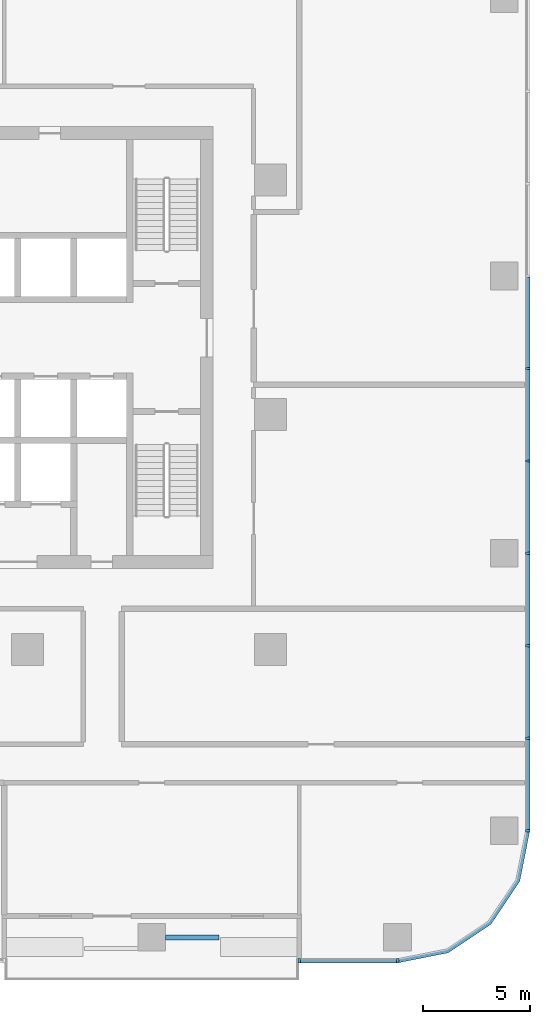
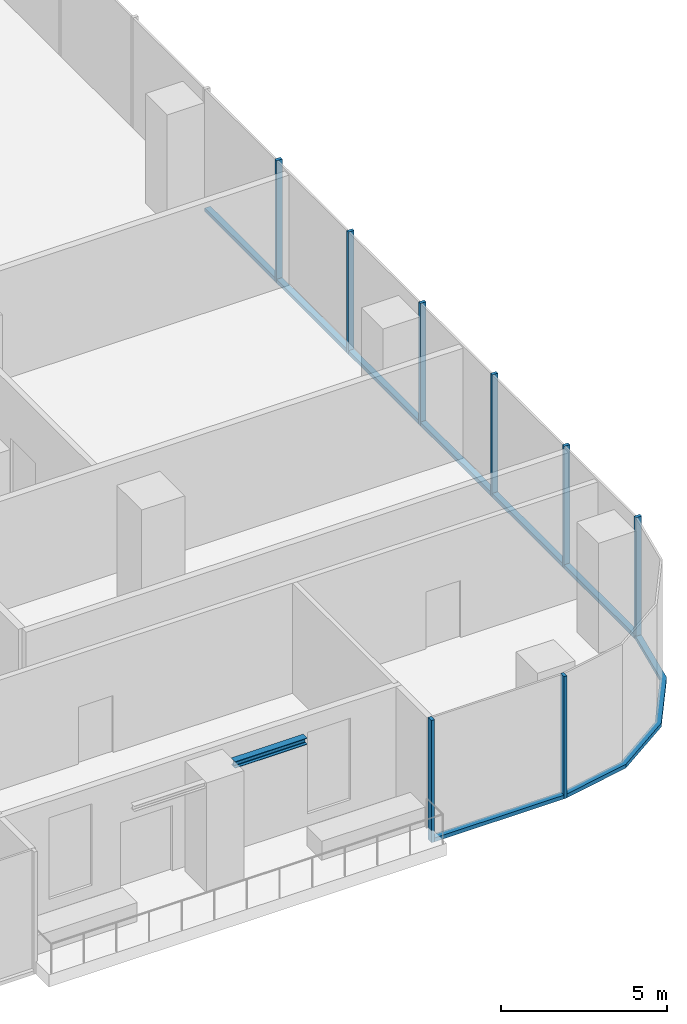
# One storey, part 3 of 15: 16 members, 1 beam, 3 elements without a shape of their own.
"""IFC4 building model written with IfcOpenShell, lengths in metres."""

from ifc_helpers import new_model, si_unit, direction, frame, origin, origin_2d, place, context, subcontext, project, spatial, polyline, rectangle, i_section, outline, extrude, material, material_profile, profile_set, type_object, element, aggregate, save


model = new_model("IFC4")

# Units and contexts
model_context = context("Model", 3, precision=1e-05, world=origin(), true_north=direction((0.0, 1.0)))
body_context = subcontext(model_context, "Body", "Model", "MODEL_VIEW")
ifc_project = project(units=[si_unit("LENGTHUNIT", "METRE"), si_unit("AREAUNIT", "SQUARE_METRE"), si_unit("VOLUMEUNIT", "CUBIC_METRE"), si_unit("PLANEANGLEUNIT", "RADIAN"), si_unit("MASSUNIT", "GRAM", prefix="KILO")], contexts=[model_context])

# Site, building, storey
site_placement = place(None, origin())
site = spatial("IfcSite", under=ifc_project, at=site_placement, CompositionType="ELEMENT")
building_placement = place(site_placement, origin())
building = spatial("IfcBuilding", under=site, at=building_placement, Name="Mopane Tessera Tower", CompositionType="ELEMENT")
storey_placement = place(building_placement, frame((0.0, 0.0, 103.60009765625)))
storey = spatial("IfcBuildingStorey", under=building, at=storey_placement, Name="L20", CompositionType="ELEMENT", Elevation=103.60009765625)

# Curtain wall, members
ifc_material_1 = material(Name="Aluminium frame", Category="aluminium")
curtain_wall_type = type_object("IfcCurtainWallType", Name="Lower tower unitised wall", PredefinedType="NOTDEFINED", material=ifc_material_1)
curtain_wall_1_placement = place(storey_placement, origin())
curtain_wall_1 = element("IfcCurtainWall", 1, at=curtain_wall_1_placement, inside=storey, type_object=curtain_wall_type, Name="e:cw:L20:S:9", PredefinedType="NOTDEFINED")
ifc_material_2 = material(Name="Aluminium frame", Category="aluminium")
ifc_material_profile_1 = material_profile(ifc_material_2, rectangle(XDim=0.110107421875, YDim=0.199951171875, at=origin_2d()))
ifc_profile_set_1 = profile_set([ifc_material_profile_1], Name="Aluminium frame")
member_type_1 = type_object("IfcMemberType", Name="Aluminium mullion 110 x 200", PredefinedType="MULLION", material=ifc_profile_set_1)
member_1_placement = place(storey_placement, frame((18.43994140625, -25.60009765625, -0.4501953125), z_axis=(0.0, 0.0, 1.0), x_axis=(1.0, 0.0, 0.0)))
member_1 = element("IfcMember", 2, at=member_1_placement, type_object=member_type_1, Name="e:cw:L20:S:9:mu9", PredefinedType="MULLION", context=body_context, shape_type="SweptSolid", body=[
    extrude(rectangle(XDim=0.110107421875, YDim=0.199951171875, at=origin_2d()), origin(), (0.0, 0.0, 1.0), 4.5),
])
member_2_placement = place(storey_placement, frame((23.050048828125, -25.60009765625, -0.4501953125), z_axis=(0.0, 0.0, 1.0), x_axis=(1.0, 0.0, 0.0)))
member_2 = element("IfcMember", 3, at=member_2_placement, type_object=member_type_1, Name="e:cw:L20:S:9:mu10", PredefinedType="MULLION", context=body_context, shape_type="SweptSolid", body=[
    extrude(rectangle(XDim=0.110107421875, YDim=0.199951171875, at=origin_2d()), origin(), (0.0, 0.0, 1.0), 4.5),
])

curtain_wall_2_placement = place(storey_placement, origin())
curtain_wall_2 = element("IfcCurtainWall", 4, at=curtain_wall_2_placement, inside=storey, type_object=curtain_wall_type, Name="e:cw:L20:E:0", PredefinedType="NOTDEFINED")
member_3_placement = place(storey_placement, frame((29.14990234375, -19.5, -0.4501953125), z_axis=(0.0, 0.0, 1.0), x_axis=(0.0, 1.0, 0.0)))
member_3 = element("IfcMember", 5, at=member_3_placement, type_object=member_type_1, Name="e:cw:L20:E:0:mu0", PredefinedType="MULLION", context=body_context, shape_type="SweptSolid", body=[
    extrude(rectangle(XDim=0.110107421875, YDim=0.199951171875, at=origin_2d()), origin(), (0.0, 0.0, 1.0), 4.5),
])
member_4_placement = place(storey_placement, frame((29.14990234375, -15.166748046875, -0.4501953125), z_axis=(0.0, 0.0, 1.0), x_axis=(0.0, 1.0, 0.0)))
member_4 = element("IfcMember", 6, at=member_4_placement, type_object=member_type_1, Name="e:cw:L20:E:0:mu1", PredefinedType="MULLION", context=body_context, shape_type="SweptSolid", body=[
    extrude(rectangle(XDim=0.110107421875, YDim=0.199951171875, at=origin_2d()), origin(), (0.0, 0.0, 1.0), 4.5),
])
member_5_placement = place(storey_placement, frame((29.14990234375, -10.833251953125, -0.4501953125), z_axis=(0.0, 0.0, 1.0), x_axis=(0.0, 1.0, 0.0)))
member_5 = element("IfcMember", 7, at=member_5_placement, type_object=member_type_1, Name="e:cw:L20:E:0:mu2", PredefinedType="MULLION", context=body_context, shape_type="SweptSolid", body=[
    extrude(rectangle(XDim=0.110107421875, YDim=0.199951171875, at=origin_2d()), origin(), (0.0, 0.0, 1.0), 4.5),
])
member_6_placement = place(storey_placement, frame((29.14990234375, -6.5, -0.4501953125), z_axis=(0.0, 0.0, 1.0), x_axis=(0.0, 1.0, 0.0)))
member_6 = element("IfcMember", 8, at=member_6_placement, type_object=member_type_1, Name="e:cw:L20:E:0:mu3", PredefinedType="MULLION", context=body_context, shape_type="SweptSolid", body=[
    extrude(rectangle(XDim=0.110107421875, YDim=0.199951171875, at=origin_2d()), origin(), (0.0, 0.0, 1.0), 4.5),
])
member_7_placement = place(storey_placement, frame((29.14990234375, -2.166748046875, -0.4501953125), z_axis=(0.0, 0.0, 1.0), x_axis=(0.0, 1.0, 0.0)))
member_7 = element("IfcMember", 9, at=member_7_placement, type_object=member_type_1, Name="e:cw:L20:E:0:mu4", PredefinedType="MULLION", context=body_context, shape_type="SweptSolid", body=[
    extrude(rectangle(XDim=0.110107421875, YDim=0.199951171875, at=origin_2d()), origin(), (0.0, 0.0, 1.0), 4.5),
])
member_8_placement = place(storey_placement, frame((29.14990234375, 2.166748046875, -0.4501953125), z_axis=(0.0, 0.0, 1.0), x_axis=(0.0, 1.0, 0.0)))
member_8 = element("IfcMember", 10, at=member_8_placement, type_object=member_type_1, Name="e:cw:L20:E:0:mu5", PredefinedType="MULLION", context=body_context, shape_type="SweptSolid", body=[
    extrude(rectangle(XDim=0.110107421875, YDim=0.199951171875, at=origin_2d()), origin(), (0.0, 0.0, 1.0), 4.5),
])

# Member
ifc_material_3 = material(Name="Aluminium frame", Category="aluminium")
ifc_material_profile_2 = material_profile(ifc_material_3, rectangle(XDim=0.199951171875, YDim=0.139892578125, at=origin_2d()))
ifc_profile_set_2 = profile_set([ifc_material_profile_2], Name="Aluminium frame")
member_type_2 = type_object("IfcMemberType", Name="Aluminium transom 200 x 140", PredefinedType="USERDEFINED", material=ifc_profile_set_2)
member_9_placement = place(storey_placement, frame((18.4951171875, -25.60009765625, -0.380126953125), z_axis=(1.0, 0.0, 0.0), x_axis=(0.0, 1.0, 0.0)))
member_9 = element("IfcMember", 11, at=member_9_placement, type_object=member_type_2, Name="e:cw:L20:S:9:tr9", ObjectType="TRANSOM", PredefinedType="USERDEFINED", context=body_context, shape_type="SweptSolid", body=[
    extrude(rectangle(XDim=0.199951171875, YDim=0.139892578125, at=origin_2d()), origin(), (0.0, 0.0, 1.0), 4.5),
])

aggregate(curtain_wall_1, [member_1, member_2, member_9])

# Curtain wall, member
curtain_wall_3_placement = place(storey_placement, origin())
curtain_wall_3 = element("IfcCurtainWall", 12, at=curtain_wall_3_placement, inside=storey, type_object=curtain_wall_type, Name="e:cw:L20:CS", PredefinedType="NOTDEFINED")
member_10_placement = place(storey_placement, frame((0.0, 0.0, -0.4501953125)))
member_10 = element("IfcMember", 13, at=member_10_placement, type_object=member_type_2, Name="e:cw:L20:CS:tr", ObjectType="TRANSOM", PredefinedType="USERDEFINED", context=body_context, shape_type="SweptSolid", body=[
    extrude(outline(polyline([(23.050048828125, -25.5), (25.34619140625, -25.043212890625), (27.292724609375, -23.74267578125), (28.59326171875, -21.796142578125), (29.050048828125, -19.5), (29.25, -19.5), (28.778076171875, -21.87255859375), (27.43408203125, -23.884033203125), (25.422607421875, -25.22802734375), (23.050048828125, -25.699951171875), (23.050048828125, -25.5)])), origin(), (0.0, 0.0, 1.0), 0.14013671875),
])
aggregate(curtain_wall_3, [member_10])

# Member
member_11_placement = place(storey_placement, frame((29.14990234375, -19.445068359375, -0.380126953125), z_axis=(0.0, 1.0, 0.0), x_axis=(-1.0, 0.0, 0.0)))
member_11 = element("IfcMember", 14, at=member_11_placement, type_object=member_type_2, Name="e:cw:L20:E:0:tr0", ObjectType="TRANSOM", PredefinedType="USERDEFINED", context=body_context, shape_type="SweptSolid", body=[
    extrude(rectangle(XDim=0.199951171875, YDim=0.139892578125, at=origin_2d()), origin(), (0.0, 0.0, 1.0), 4.223388671875),
])

member_12_placement = place(storey_placement, frame((29.14990234375, -15.111572265625, -0.380126953125), z_axis=(0.0, 1.0, 0.0), x_axis=(-1.0, 0.0, 0.0)))
member_12 = element("IfcMember", 15, at=member_12_placement, type_object=member_type_2, Name="e:cw:L20:E:0:tr1", ObjectType="TRANSOM", PredefinedType="USERDEFINED", context=body_context, shape_type="SweptSolid", body=[
    extrude(rectangle(XDim=0.199951171875, YDim=0.139892578125, at=origin_2d()), origin(), (0.0, 0.0, 1.0), 4.22314453125),
])

member_13_placement = place(storey_placement, frame((29.14990234375, -10.7783203125, -0.380126953125), z_axis=(0.0, 1.0, 0.0), x_axis=(-1.0, 0.0, 0.0)))
member_13 = element("IfcMember", 16, at=member_13_placement, type_object=member_type_2, Name="e:cw:L20:E:0:tr2", ObjectType="TRANSOM", PredefinedType="USERDEFINED", context=body_context, shape_type="SweptSolid", body=[
    extrude(rectangle(XDim=0.199951171875, YDim=0.139892578125, at=origin_2d()), origin(), (0.0, 0.0, 1.0), 4.223388671875),
])

member_14_placement = place(storey_placement, frame((29.14990234375, -6.445068359375, -0.380126953125), z_axis=(0.0, 1.0, 0.0), x_axis=(-1.0, 0.0, 0.0)))
member_14 = element("IfcMember", 17, at=member_14_placement, type_object=member_type_2, Name="e:cw:L20:E:0:tr3", ObjectType="TRANSOM", PredefinedType="USERDEFINED", context=body_context, shape_type="SweptSolid", body=[
    extrude(rectangle(XDim=0.199951171875, YDim=0.139892578125, at=origin_2d()), origin(), (0.0, 0.0, 1.0), 4.223388671875),
])

member_15_placement = place(storey_placement, frame((29.14990234375, -2.111572265625, -0.380126953125), z_axis=(0.0, 1.0, 0.0), x_axis=(-1.0, 0.0, 0.0)))
member_15 = element("IfcMember", 18, at=member_15_placement, type_object=member_type_2, Name="e:cw:L20:E:0:tr4", ObjectType="TRANSOM", PredefinedType="USERDEFINED", context=body_context, shape_type="SweptSolid", body=[
    extrude(rectangle(XDim=0.199951171875, YDim=0.139892578125, at=origin_2d()), origin(), (0.0, 0.0, 1.0), 4.22314453125),
])

member_16_placement = place(storey_placement, frame((29.14990234375, 2.2216796875, -0.380126953125), z_axis=(0.0, 1.0, 0.0), x_axis=(-1.0, 0.0, 0.0)))
member_16 = element("IfcMember", 19, at=member_16_placement, type_object=member_type_2, Name="e:cw:L20:E:0:tr5", ObjectType="TRANSOM", PredefinedType="USERDEFINED", context=body_context, shape_type="SweptSolid", body=[
    extrude(rectangle(XDim=0.199951171875, YDim=0.139892578125, at=origin_2d()), origin(), (0.0, 0.0, 1.0), 4.223388671875),
])

aggregate(curtain_wall_2, [member_3, member_4, member_5, member_6, member_7, member_8, member_11, member_12, member_13, member_14, member_15, member_16])

# Beam
ifc_material_4 = material(Name="Structural steel S460", Category="steel")
ifc_material_profile_3 = material_profile(ifc_material_4, i_section(OverallWidth=0.239990234375, OverallDepth=0.239990234375, WebThickness=0.010009765625, FlangeThickness=0.01708984375, FilletRadius=0.02099609375, at=origin_2d()))
ifc_profile_set_3 = profile_set([ifc_material_profile_3], Name="Structural steel S460")
beam_type = type_object("IfcBeamType", Name="Terrace spandrel beam HE 240 B", PredefinedType="SPANDREL", material=ifc_profile_set_3)
beam_placement = place(storey_placement, frame((12.177978515625, -24.5, 3.929931640625), z_axis=(1.0, 0.0, 0.0), x_axis=(0.0, 1.0, 0.0)))
element("IfcBeam", 20, at=beam_placement, inside=storey, type_object=beam_type, Name="Terrace spandrel beam N3 L21", PredefinedType="SPANDREL", context=body_context, shape_type="SweptSolid", body=[
    extrude(i_section(OverallWidth=0.239990234375, OverallDepth=0.239990234375, WebThickness=0.010009765625, FlangeThickness=0.01708984375, FilletRadius=0.02099609375, at=origin_2d()), origin(), (0.0, 0.0, 1.0), 2.5),
])

save(model, "model.ifc")
